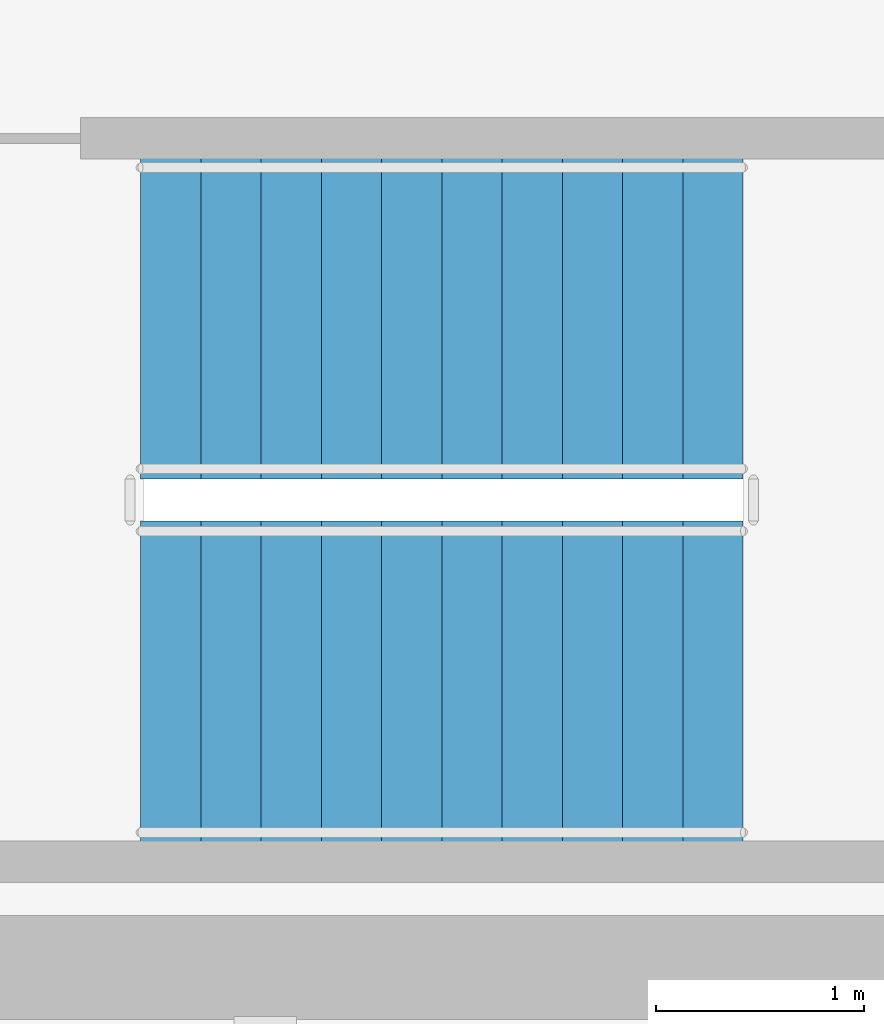
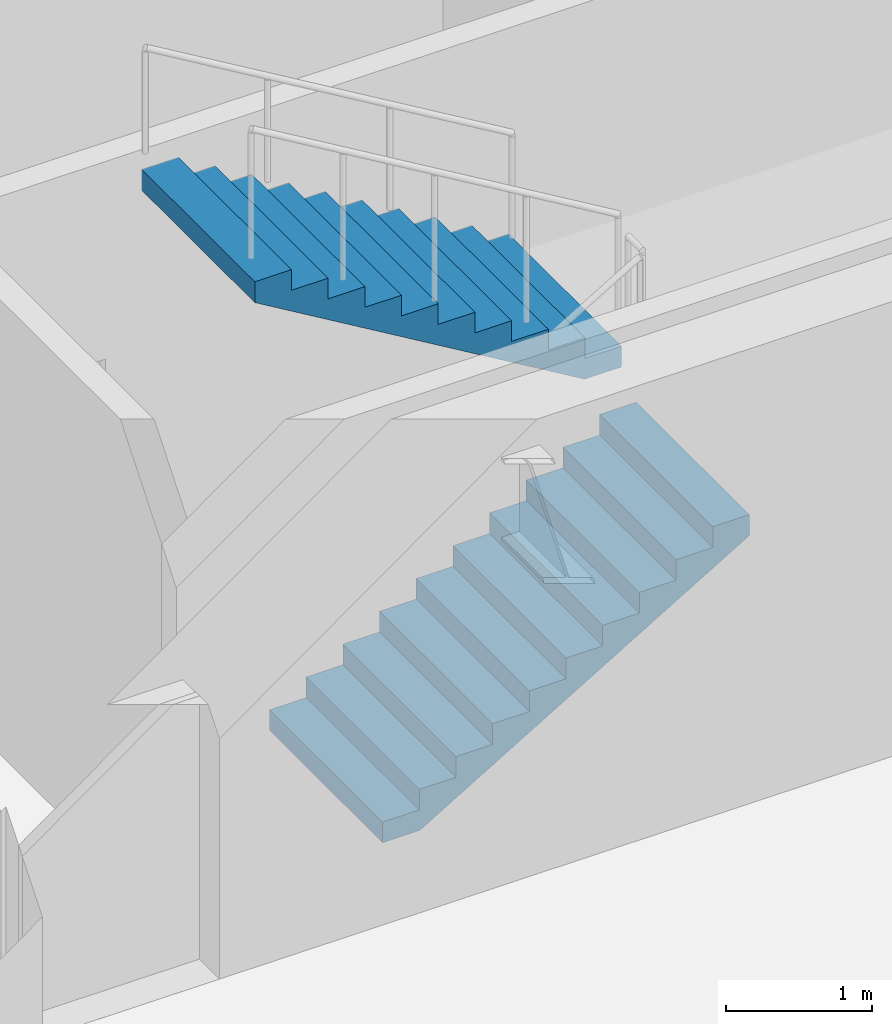
# One storey, part 20 of 24: 2 stair flights, 1 element without a shape of its own.
"""IFC4 building model written with IfcOpenShell, lengths in metres."""

from ifc_helpers import new_model, si_unit, direction, frame, origin, place, context, subcontext, project, spatial, polyline, outline, extrude, material, type_object, element, aggregate, save


model = new_model("IFC4")

# Units and contexts
model_context = context("Model", 3, precision=1e-05, world=origin(), true_north=direction((0.0, 1.0)))
body_context = subcontext(model_context, "Body", "Model", "MODEL_VIEW")
ifc_project = project(units=[si_unit("LENGTHUNIT", "METRE"), si_unit("AREAUNIT", "SQUARE_METRE"), si_unit("VOLUMEUNIT", "CUBIC_METRE"), si_unit("PLANEANGLEUNIT", "RADIAN"), si_unit("MASSUNIT", "GRAM", prefix="KILO")], contexts=[model_context])

# Site, building, storey
site_placement = place(None, origin())
site = spatial("IfcSite", under=ifc_project, at=site_placement, CompositionType="ELEMENT")
building_placement = place(site_placement, origin())
building = spatial("IfcBuilding", under=site, at=building_placement, Name="Putna Gate Headquarters", CompositionType="ELEMENT")
storey_placement = place(building_placement, frame((0.0, 0.0, 240.39990234375)))
storey = spatial("IfcBuildingStorey", under=building, at=storey_placement, Name="L60", CompositionType="ELEMENT", Elevation=240.39990234375)

# Stair, stair flights
ifc_material = material(Name="Concrete C40/50", Category="concrete")
stair_type = type_object("IfcStairType", Name="STAIR-ST2", PredefinedType="HALF_TURN_STAIR", material=ifc_material)
stair_placement = place(storey_placement, origin())
stair = element("IfcStair", 1, at=stair_placement, inside=storey, type_object=stair_type, Name="L60 East Core Exit Stair ST2", PredefinedType="HALF_TURN_STAIR")
stair_flight_type = type_object("IfcStairFlightType", Name="FLIGHT-ST2", PredefinedType="STRAIGHT", material=ifc_material)
stair_flight_1_placement = place(storey_placement, frame((57.89990234375, 20.375, 0.0), z_axis=(0.0, 0.0, 1.0), x_axis=(1.0, 0.0, 0.0)))
stair_flight_1 = element("IfcStairFlight", 2, at=stair_flight_1_placement, type_object=stair_flight_type, Name="ST2 flight 1", NumberOfRisers=11, NumberOfTreads=10, PredefinedType="STRAIGHT", RiserHeight=0.172727273, TreadLength=0.29, context=body_context, shape_type="SweptSolid", body=[
    extrude(outline(polyline([(0.0, 0.0), (0.0, 0.172607421875), (0.2900390625, 0.172607421875), (0.2900390625, 0.345458984375), (0.580078125, 0.345458984375), (0.580078125, 0.51806640625), (0.8701171875, 0.51806640625), (0.8701171875, 0.69091796875), (1.159912109375, 0.69091796875), (1.159912109375, 0.863525390625), (1.449951171875, 0.863525390625), (1.449951171875, 1.036376953125), (1.739990234375, 1.036376953125), (1.739990234375, 1.208984375), (2.030029296875, 1.208984375), (2.030029296875, 1.3818359375), (2.320068359375, 1.3818359375), (2.320068359375, 1.554443359375), (2.610107421875, 1.554443359375), (2.610107421875, 1.727294921875), (2.89990234375, 1.727294921875), (2.89990234375, 1.89990234375), (2.89990234375, 1.552734375), (0.29296875, 0.0), (0.0, 0.0)])), frame((0.0, 0.77490234375, 0.0), z_axis=(0.0, -1.0, 0.0), x_axis=(1.0, 0.0, 0.0)), (0.0, 0.0, 1.0), 1.550048828125),
])
stair_flight_2_placement = place(storey_placement, frame((60.800048828125, 22.125, 1.900146484375), z_axis=(0.0, 0.0, 1.0), x_axis=(-1.0, 0.0, 0.0)))
stair_flight_2 = element("IfcStairFlight", 3, at=stair_flight_2_placement, type_object=stair_flight_type, Name="ST2 flight 2", NumberOfRisers=11, NumberOfTreads=10, PredefinedType="STRAIGHT", RiserHeight=0.172727273, TreadLength=0.29, context=body_context, shape_type="SweptSolid", body=[
    extrude(outline(polyline([(0.0, 0.0), (0.0, 0.172607421875), (0.2900390625, 0.172607421875), (0.2900390625, 0.345458984375), (0.580078125, 0.345458984375), (0.580078125, 0.51806640625), (0.8701171875, 0.51806640625), (0.8701171875, 0.69091796875), (1.159912109375, 0.69091796875), (1.159912109375, 0.863525390625), (1.449951171875, 0.863525390625), (1.449951171875, 1.036376953125), (1.739990234375, 1.036376953125), (1.739990234375, 1.208984375), (2.030029296875, 1.208984375), (2.030029296875, 1.3818359375), (2.320068359375, 1.3818359375), (2.320068359375, 1.554443359375), (2.610107421875, 1.554443359375), (2.610107421875, 1.727294921875), (2.89990234375, 1.727294921875), (2.89990234375, 1.89990234375), (2.89990234375, 1.552734375), (0.29296875, 0.0), (0.0, 0.0)])), frame((0.0, 0.77490234375, 0.0), z_axis=(0.0, -1.0, 0.0), x_axis=(1.0, 0.0, 0.0)), (0.0, 0.0, 1.0), 1.550048828125),
])
aggregate(stair, [stair_flight_1, stair_flight_2])

save(model, "model.ifc")
